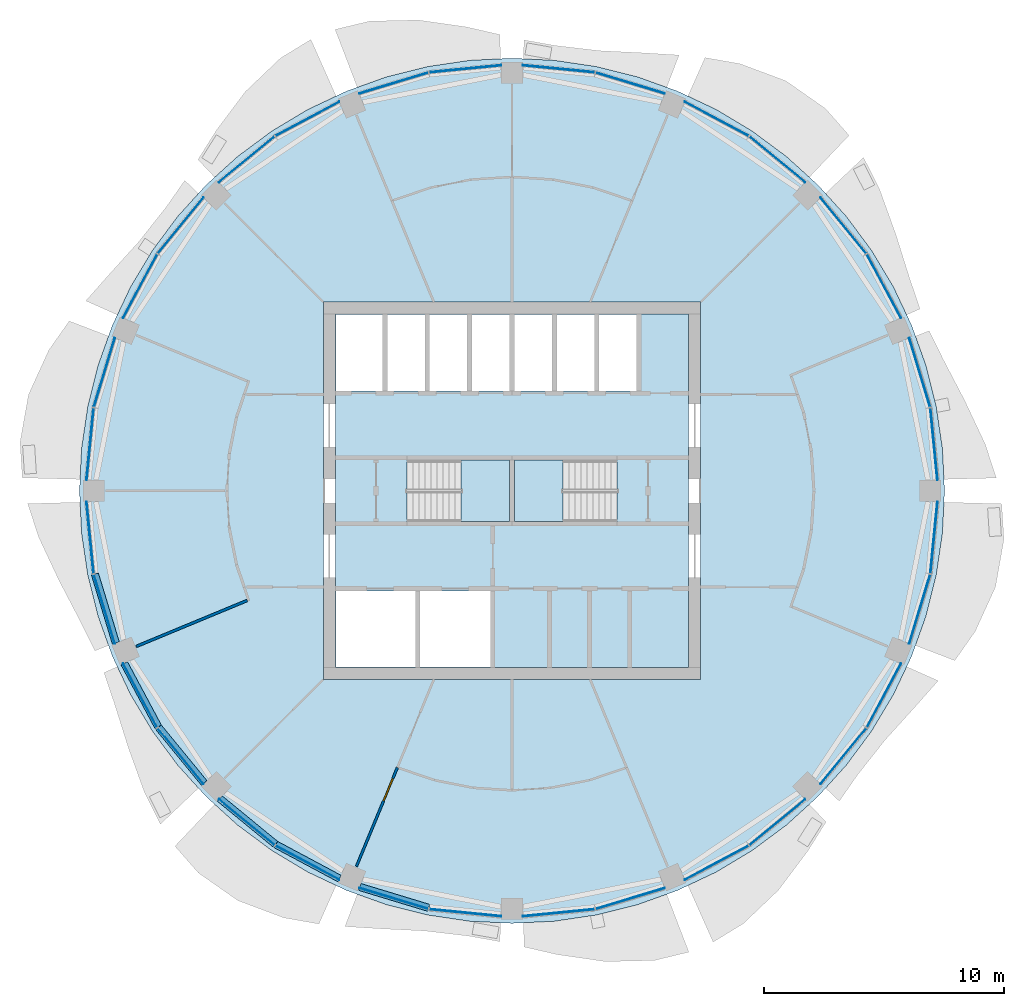
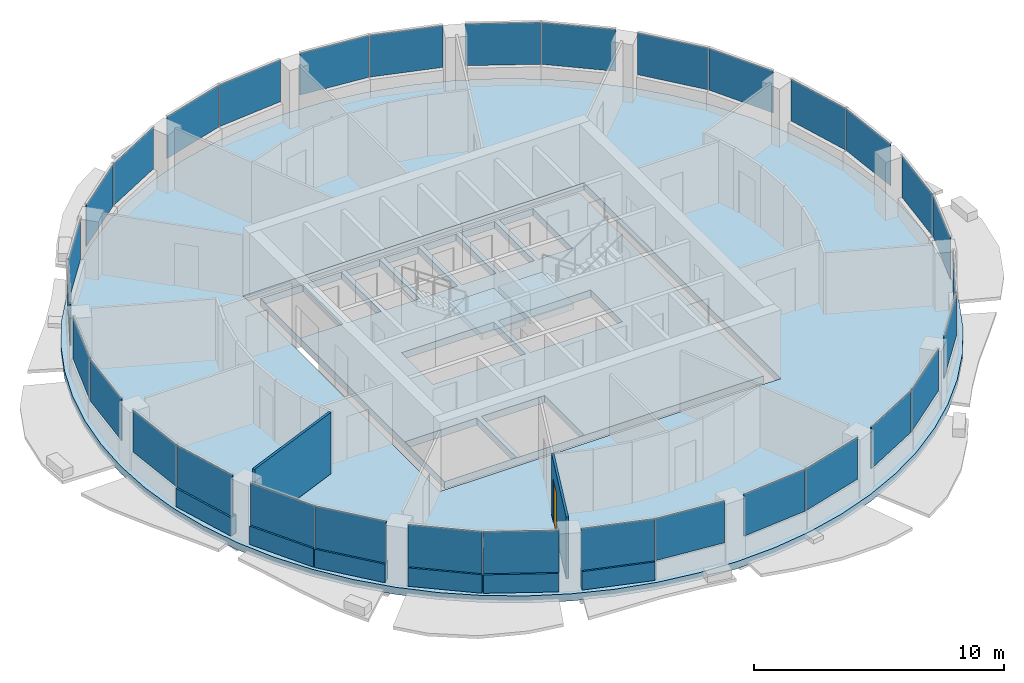
# One storey, part 7 of 15: 32 plates, 8 walls, 4 slabs, 1 door, 1 opening, 18 elements without a shape of their own.
"""IFC4 building model written with IfcOpenShell, lengths in metres."""

from ifc_helpers import new_model, si_unit, direction, frame, frame_2d, origin, origin_2d, place, context, subcontext, project, spatial, polyline, rectangle, outline, extrude, material, layer, layer_set, type_object, element, fill, aggregate, save


model = new_model("IFC4")

# Units and contexts
model_context = context("Model", 3, precision=1e-05, world=origin(), true_north=direction((0.0, 1.0)))
body_context = subcontext(model_context, "Body", "Model", "MODEL_VIEW")
ifc_project = project(units=[si_unit("LENGTHUNIT", "METRE"), si_unit("AREAUNIT", "SQUARE_METRE"), si_unit("VOLUMEUNIT", "CUBIC_METRE"), si_unit("PLANEANGLEUNIT", "RADIAN"), si_unit("MASSUNIT", "GRAM", prefix="KILO")], contexts=[model_context])

# Site, building, storey
site_placement = place(None, origin())
site = spatial("IfcSite", under=ifc_project, at=site_placement, CompositionType="ELEMENT")
building_placement = place(site_placement, origin())
building = spatial("IfcBuilding", under=site, at=building_placement, Name="Polderwave Tower", CompositionType="ELEMENT")
storey_placement = place(building_placement, frame((0.0, 0.0, 191.0)))
storey = spatial("IfcBuildingStorey", under=building, at=storey_placement, Name="L51", CompositionType="ELEMENT", Elevation=191.0)

# Slab
ifc_material_1 = material(Name="Concrete C40/50", Category="concrete")
ifc_layer_1 = layer(ifc_material_1, 0.35009765625)
ifc_layer_set_1 = layer_set([ifc_layer_1], Name="Core floor slab 350")
slab_type_1 = type_object("IfcSlabType", Name="Core floor slab 350", PredefinedType="FLOOR", material=ifc_layer_set_1)
slab_1_placement = place(storey_placement, frame((0.0, 0.0, -0.35009765625)))
element("IfcSlab", 1, at=slab_1_placement, inside=storey, type_object=slab_type_1, Name="L51 core floor", PredefinedType="FLOOR", context=body_context, shape_type="SweptSolid", body=[
    extrude(outline(polyline([(-7.3740234375, -7.3740234375), (7.3740234375, -7.3740234375), (7.3740234375, 7.3740234375), (-7.3740234375, 7.3740234375), (-7.3740234375, -7.3740234375)]), holes=[polyline([(-7.35400390625, -7.35400390625), (-4.037109375, -7.35400390625), (-4.037109375, -4.174072265625), (-7.35400390625, -4.174072265625), (-7.35400390625, -7.35400390625)]), polyline([(-3.8369140625, -7.35400390625), (-0.89990234375, -7.35400390625), (-0.89990234375, -4.174072265625), (-3.8369140625, -4.174072265625), (-3.8369140625, -7.35400390625)]), polyline([(-7.35400390625, 4.174072265625), (-5.405517578125, 4.174072265625), (-5.405517578125, 7.35400390625), (-7.35400390625, 7.35400390625), (-7.35400390625, 4.174072265625)]), polyline([(-5.20556640625, 4.174072265625), (-3.636962890625, 4.174072265625), (-3.636962890625, 7.35400390625), (-5.20556640625, 7.35400390625), (-5.20556640625, 4.174072265625)]), polyline([(-3.43701171875, 4.174072265625), (-1.868408203125, 4.174072265625), (-1.868408203125, 7.35400390625), (-3.43701171875, 7.35400390625), (-3.43701171875, 4.174072265625)]), polyline([(-1.66845703125, 4.174072265625), (-0.10009765625, 4.174072265625), (-0.10009765625, 7.35400390625), (-1.66845703125, 7.35400390625), (-1.66845703125, 4.174072265625)]), polyline([(0.10009765625, 4.174072265625), (1.66845703125, 4.174072265625), (1.66845703125, 7.35400390625), (0.10009765625, 7.35400390625), (0.10009765625, 4.174072265625)]), polyline([(1.868408203125, 4.174072265625), (3.43701171875, 4.174072265625), (3.43701171875, 7.35400390625), (1.868408203125, 7.35400390625), (1.868408203125, 4.174072265625)]), polyline([(3.636962890625, 4.174072265625), (5.20556640625, 4.174072265625), (5.20556640625, 7.35400390625), (3.636962890625, 7.35400390625), (3.636962890625, 4.174072265625)]), polyline([(-4.37353515625, -1.2744140625), (-0.1005859375, -1.2744140625), (-0.1005859375, 1.2744140625), (-4.37353515625, 1.2744140625), (-4.37353515625, -1.2744140625)]), polyline([(0.1005859375, -1.2744140625), (4.37353515625, -1.2744140625), (4.37353515625, 1.2744140625), (0.1005859375, 1.2744140625), (0.1005859375, -1.2744140625)])]), origin(), (0.0, 0.0, 1.0), 0.35009765625),
])

# Curtain wall, plates
ifc_material_2 = material(Name="Aluminium 6063-T6 and glass", Category="aluminium")
curtain_wall_type = type_object("IfcCurtainWallType", Name="Office ribbon glazing wall", PredefinedType="NOTDEFINED", material=ifc_material_2)
curtain_wall_1_placement = place(storey_placement, origin())
curtain_wall_1 = element("IfcCurtainWall", 2, at=curtain_wall_1_placement, inside=storey, type_object=curtain_wall_type, Name="CW3 L51 00", PredefinedType="NOTDEFINED")
ifc_material_3 = material(Name="Glass, low-e laminated double glazing", Category="glass")
ifc_layer_2 = layer(ifc_material_3, 0.031982421875)
ifc_layer_set_2 = layer_set([ifc_layer_2], Name="Office ribbon glazing glass panel 32 mm")
plate_type = type_object("IfcPlateType", Name="Office ribbon glazing glass panel 32 mm", PredefinedType="CURTAIN_PANEL", material=ifc_layer_set_2)
plate_1_placement = place(storey_placement, frame((17.6083984375, 1.94775390625, 0.89990234375), z_axis=(0.0, 0.0, 1.0), x_axis=(-0.098102249297, 0.995176340496, 0.0)))
plate_1 = element("IfcPlate", 3, at=plate_1_placement, type_object=plate_type, Name="CW3 panel 1", PredefinedType="CURTAIN_PANEL", context=body_context, shape_type="SweptSolid", body=[
    extrude(rectangle(XDim=3.01025390625, YDim=0.031982421875, at=origin_2d()), origin(), (0.0, 0.0, 1.0), 2.0400390625),
])
plate_2_placement = place(storey_placement, frame((17.012939453125, 4.939208984375, 0.89990234375), z_axis=(0.0, 0.0, 1.0), x_axis=(-0.290428309117, 0.956896753712, 0.0)))
plate_2 = element("IfcPlate", 4, at=plate_2_placement, type_object=plate_type, Name="CW3 panel 2", PredefinedType="CURTAIN_PANEL", context=body_context, shape_type="SweptSolid", body=[
    extrude(rectangle(XDim=3.009521484375, YDim=0.031982421875, at=origin_2d()), origin(), (0.0, 0.0, 1.0), 2.0400390625),
])
aggregate(curtain_wall_1, [plate_1, plate_2])

curtain_wall_2_placement = place(storey_placement, origin())
curtain_wall_2 = element("IfcCurtainWall", 5, at=curtain_wall_2_placement, inside=storey, type_object=curtain_wall_type, Name="CW3 L51 01", PredefinedType="NOTDEFINED")
plate_3_placement = place(storey_placement, frame((15.5224609375, 8.537841796875, 0.89990234375), z_axis=(0.0, 0.0, 1.0), x_axis=(-0.471544497535, 0.881842268688, 0.0)))
plate_3 = element("IfcPlate", 6, at=plate_3_placement, type_object=plate_type, Name="CW3 panel 1", PredefinedType="CURTAIN_PANEL", context=body_context, shape_type="SweptSolid", body=[
    extrude(rectangle(XDim=3.00927734375, YDim=0.031982421875, at=origin_2d()), origin(), (0.0, 0.0, 1.0), 2.0400390625),
])
plate_4_placement = place(storey_placement, frame((13.827880859375, 11.073486328125, 0.89990234375), z_axis=(0.0, 0.0, 1.0), x_axis=(-0.634402728221, 0.773002702729, 0.0)))
plate_4 = element("IfcPlate", 7, at=plate_4_placement, type_object=plate_type, Name="CW3 panel 2", PredefinedType="CURTAIN_PANEL", context=body_context, shape_type="SweptSolid", body=[
    extrude(rectangle(XDim=3.010009765625, YDim=0.031982421875, at=origin_2d()), origin(), (0.0, 0.0, 1.0), 2.0400390625),
])
aggregate(curtain_wall_2, [plate_3, plate_4])

curtain_wall_3_placement = place(storey_placement, origin())
curtain_wall_3 = element("IfcCurtainWall", 8, at=curtain_wall_3_placement, inside=storey, type_object=curtain_wall_type, Name="CW3 L51 02", PredefinedType="NOTDEFINED")
plate_5_placement = place(storey_placement, frame((11.073486328125, 13.827880859375, 0.89990234375), z_axis=(0.0, 0.0, 1.0), x_axis=(-0.773002702729, 0.634402728221, 0.0)))
plate_5 = element("IfcPlate", 9, at=plate_5_placement, type_object=plate_type, Name="CW3 panel 1", PredefinedType="CURTAIN_PANEL", context=body_context, shape_type="SweptSolid", body=[
    extrude(rectangle(XDim=3.010009765625, YDim=0.031982421875, at=origin_2d()), origin(), (0.0, 0.0, 1.0), 2.0400390625),
])
plate_6_placement = place(storey_placement, frame((8.537841796875, 15.5224609375, 0.89990234375), z_axis=(0.0, 0.0, 1.0), x_axis=(-0.881842268688, 0.471544497535, 0.0)))
plate_6 = element("IfcPlate", 10, at=plate_6_placement, type_object=plate_type, Name="CW3 panel 2", PredefinedType="CURTAIN_PANEL", context=body_context, shape_type="SweptSolid", body=[
    extrude(rectangle(XDim=3.00927734375, YDim=0.031982421875, at=origin_2d()), origin(), (0.0, 0.0, 1.0), 2.0400390625),
])
aggregate(curtain_wall_3, [plate_5, plate_6])

curtain_wall_4_placement = place(storey_placement, origin())
curtain_wall_4 = element("IfcCurtainWall", 11, at=curtain_wall_4_placement, inside=storey, type_object=curtain_wall_type, Name="CW3 L51 03", PredefinedType="NOTDEFINED")
plate_7_placement = place(storey_placement, frame((4.939208984375, 17.012939453125, 0.89990234375), z_axis=(0.0, 0.0, 1.0), x_axis=(-0.956896753712, 0.290428309117, 0.0)))
plate_7 = element("IfcPlate", 12, at=plate_7_placement, type_object=plate_type, Name="CW3 panel 1", PredefinedType="CURTAIN_PANEL", context=body_context, shape_type="SweptSolid", body=[
    extrude(rectangle(XDim=3.009521484375, YDim=0.031982421875, at=origin_2d()), origin(), (0.0, 0.0, 1.0), 2.0400390625),
])
plate_8_placement = place(storey_placement, frame((1.94775390625, 17.6083984375, 0.89990234375), z_axis=(0.0, 0.0, 1.0), x_axis=(-0.995176340496, 0.098102249297, 0.0)))
plate_8 = element("IfcPlate", 13, at=plate_8_placement, type_object=plate_type, Name="CW3 panel 2", PredefinedType="CURTAIN_PANEL", context=body_context, shape_type="SweptSolid", body=[
    extrude(rectangle(XDim=3.01025390625, YDim=0.031982421875, at=origin_2d()), origin(), (0.0, 0.0, 1.0), 2.0400390625),
])
aggregate(curtain_wall_4, [plate_7, plate_8])

curtain_wall_5_placement = place(storey_placement, origin())
curtain_wall_5 = element("IfcCurtainWall", 14, at=curtain_wall_5_placement, inside=storey, type_object=curtain_wall_type, Name="CW3 L51 04", PredefinedType="NOTDEFINED")
plate_9_placement = place(storey_placement, frame((-1.94775390625, 17.6083984375, 0.89990234375), z_axis=(0.0, 0.0, 1.0), x_axis=(-0.995176340496, -0.098102249297, 0.0)))
plate_9 = element("IfcPlate", 15, at=plate_9_placement, type_object=plate_type, Name="CW3 panel 1", PredefinedType="CURTAIN_PANEL", context=body_context, shape_type="SweptSolid", body=[
    extrude(rectangle(XDim=3.01025390625, YDim=0.031982421875, at=origin_2d()), origin(), (0.0, 0.0, 1.0), 2.0400390625),
])
plate_10_placement = place(storey_placement, frame((-4.939208984375, 17.012939453125, 0.89990234375), z_axis=(0.0, 0.0, 1.0), x_axis=(-0.956896753712, -0.290428309117, 0.0)))
plate_10 = element("IfcPlate", 16, at=plate_10_placement, type_object=plate_type, Name="CW3 panel 2", PredefinedType="CURTAIN_PANEL", context=body_context, shape_type="SweptSolid", body=[
    extrude(rectangle(XDim=3.009521484375, YDim=0.031982421875, at=origin_2d()), origin(), (0.0, 0.0, 1.0), 2.0400390625),
])
aggregate(curtain_wall_5, [plate_9, plate_10])

curtain_wall_6_placement = place(storey_placement, origin())
curtain_wall_6 = element("IfcCurtainWall", 17, at=curtain_wall_6_placement, inside=storey, type_object=curtain_wall_type, Name="CW3 L51 05", PredefinedType="NOTDEFINED")
plate_11_placement = place(storey_placement, frame((-8.537841796875, 15.5224609375, 0.89990234375), z_axis=(0.0, 0.0, 1.0), x_axis=(-0.881842268688, -0.471544497535, 0.0)))
plate_11 = element("IfcPlate", 18, at=plate_11_placement, type_object=plate_type, Name="CW3 panel 1", PredefinedType="CURTAIN_PANEL", context=body_context, shape_type="SweptSolid", body=[
    extrude(rectangle(XDim=3.00927734375, YDim=0.031982421875, at=origin_2d()), origin(), (0.0, 0.0, 1.0), 2.0400390625),
])
plate_12_placement = place(storey_placement, frame((-11.073486328125, 13.827880859375, 0.89990234375), z_axis=(0.0, 0.0, 1.0), x_axis=(-0.773002702729, -0.634402728221, 0.0)))
plate_12 = element("IfcPlate", 19, at=plate_12_placement, type_object=plate_type, Name="CW3 panel 2", PredefinedType="CURTAIN_PANEL", context=body_context, shape_type="SweptSolid", body=[
    extrude(rectangle(XDim=3.010009765625, YDim=0.031982421875, at=origin_2d()), origin(), (0.0, 0.0, 1.0), 2.0400390625),
])
aggregate(curtain_wall_6, [plate_11, plate_12])

curtain_wall_7_placement = place(storey_placement, origin())
curtain_wall_7 = element("IfcCurtainWall", 20, at=curtain_wall_7_placement, inside=storey, type_object=curtain_wall_type, Name="CW3 L51 06", PredefinedType="NOTDEFINED")
plate_13_placement = place(storey_placement, frame((-13.827880859375, 11.073486328125, 0.89990234375), z_axis=(0.0, 0.0, 1.0), x_axis=(-0.634402728221, -0.773002702729, 0.0)))
plate_13 = element("IfcPlate", 21, at=plate_13_placement, type_object=plate_type, Name="CW3 panel 1", PredefinedType="CURTAIN_PANEL", context=body_context, shape_type="SweptSolid", body=[
    extrude(rectangle(XDim=3.010009765625, YDim=0.031982421875, at=origin_2d()), origin(), (0.0, 0.0, 1.0), 2.0400390625),
])
plate_14_placement = place(storey_placement, frame((-15.5224609375, 8.537841796875, 0.89990234375), z_axis=(0.0, 0.0, 1.0), x_axis=(-0.471544497535, -0.881842268688, 0.0)))
plate_14 = element("IfcPlate", 22, at=plate_14_placement, type_object=plate_type, Name="CW3 panel 2", PredefinedType="CURTAIN_PANEL", context=body_context, shape_type="SweptSolid", body=[
    extrude(rectangle(XDim=3.00927734375, YDim=0.031982421875, at=origin_2d()), origin(), (0.0, 0.0, 1.0), 2.0400390625),
])
aggregate(curtain_wall_7, [plate_13, plate_14])

curtain_wall_8_placement = place(storey_placement, origin())
curtain_wall_8 = element("IfcCurtainWall", 23, at=curtain_wall_8_placement, inside=storey, type_object=curtain_wall_type, Name="CW3 L51 07", PredefinedType="NOTDEFINED")
plate_15_placement = place(storey_placement, frame((-17.012939453125, 4.939208984375, 0.89990234375), z_axis=(0.0, 0.0, 1.0), x_axis=(-0.290428309117, -0.956896753712, 0.0)))
plate_15 = element("IfcPlate", 24, at=plate_15_placement, type_object=plate_type, Name="CW3 panel 1", PredefinedType="CURTAIN_PANEL", context=body_context, shape_type="SweptSolid", body=[
    extrude(rectangle(XDim=3.009521484375, YDim=0.031982421875, at=origin_2d()), origin(), (0.0, 0.0, 1.0), 2.0400390625),
])
plate_16_placement = place(storey_placement, frame((-17.6083984375, 1.94775390625, 0.89990234375), z_axis=(0.0, 0.0, 1.0), x_axis=(-0.098102249297, -0.995176340496, 0.0)))
plate_16 = element("IfcPlate", 25, at=plate_16_placement, type_object=plate_type, Name="CW3 panel 2", PredefinedType="CURTAIN_PANEL", context=body_context, shape_type="SweptSolid", body=[
    extrude(rectangle(XDim=3.01025390625, YDim=0.031982421875, at=origin_2d()), origin(), (0.0, 0.0, 1.0), 2.0400390625),
])
aggregate(curtain_wall_8, [plate_15, plate_16])

curtain_wall_9_placement = place(storey_placement, origin())
curtain_wall_9 = element("IfcCurtainWall", 26, at=curtain_wall_9_placement, inside=storey, type_object=curtain_wall_type, Name="CW3 L51 08", PredefinedType="NOTDEFINED")
plate_17_placement = place(storey_placement, frame((-17.6083984375, -1.94775390625, 0.89990234375), z_axis=(0.0, 0.0, 1.0), x_axis=(0.098102249297, -0.995176340496, 0.0)))
plate_17 = element("IfcPlate", 27, at=plate_17_placement, type_object=plate_type, Name="CW3 panel 1", PredefinedType="CURTAIN_PANEL", context=body_context, shape_type="SweptSolid", body=[
    extrude(rectangle(XDim=3.01025390625, YDim=0.031982421875, at=origin_2d()), origin(), (0.0, 0.0, 1.0), 2.0400390625),
])
plate_18_placement = place(storey_placement, frame((-17.012939453125, -4.939208984375, 0.89990234375), z_axis=(0.0, 0.0, 1.0), x_axis=(0.290428309117, -0.956896753712, 0.0)))
plate_18 = element("IfcPlate", 28, at=plate_18_placement, type_object=plate_type, Name="CW3 panel 2", PredefinedType="CURTAIN_PANEL", context=body_context, shape_type="SweptSolid", body=[
    extrude(rectangle(XDim=3.009521484375, YDim=0.031982421875, at=origin_2d()), origin(), (0.0, 0.0, 1.0), 2.0400390625),
])
aggregate(curtain_wall_9, [plate_17, plate_18])

curtain_wall_10_placement = place(storey_placement, origin())
curtain_wall_10 = element("IfcCurtainWall", 29, at=curtain_wall_10_placement, inside=storey, type_object=curtain_wall_type, Name="CW3 L51 09", PredefinedType="NOTDEFINED")
plate_19_placement = place(storey_placement, frame((-15.5224609375, -8.537841796875, 0.89990234375), z_axis=(0.0, 0.0, 1.0), x_axis=(0.471544497535, -0.881842268688, 0.0)))
plate_19 = element("IfcPlate", 30, at=plate_19_placement, type_object=plate_type, Name="CW3 panel 1", PredefinedType="CURTAIN_PANEL", context=body_context, shape_type="SweptSolid", body=[
    extrude(rectangle(XDim=3.00927734375, YDim=0.031982421875, at=origin_2d()), origin(), (0.0, 0.0, 1.0), 2.0400390625),
])
plate_20_placement = place(storey_placement, frame((-13.827880859375, -11.073486328125, 0.89990234375), z_axis=(0.0, 0.0, 1.0), x_axis=(0.634402728221, -0.773002702729, 0.0)))
plate_20 = element("IfcPlate", 31, at=plate_20_placement, type_object=plate_type, Name="CW3 panel 2", PredefinedType="CURTAIN_PANEL", context=body_context, shape_type="SweptSolid", body=[
    extrude(rectangle(XDim=3.010009765625, YDim=0.031982421875, at=origin_2d()), origin(), (0.0, 0.0, 1.0), 2.0400390625),
])
aggregate(curtain_wall_10, [plate_19, plate_20])

curtain_wall_11_placement = place(storey_placement, origin())
curtain_wall_11 = element("IfcCurtainWall", 32, at=curtain_wall_11_placement, inside=storey, type_object=curtain_wall_type, Name="CW3 L51 10", PredefinedType="NOTDEFINED")
plate_21_placement = place(storey_placement, frame((-11.073486328125, -13.827880859375, 0.89990234375), z_axis=(0.0, 0.0, 1.0), x_axis=(0.773002702729, -0.634402728221, 0.0)))
plate_21 = element("IfcPlate", 33, at=plate_21_placement, type_object=plate_type, Name="CW3 panel 1", PredefinedType="CURTAIN_PANEL", context=body_context, shape_type="SweptSolid", body=[
    extrude(rectangle(XDim=3.010009765625, YDim=0.031982421875, at=origin_2d()), origin(), (0.0, 0.0, 1.0), 2.0400390625),
])
plate_22_placement = place(storey_placement, frame((-8.537841796875, -15.5224609375, 0.89990234375), z_axis=(0.0, 0.0, 1.0), x_axis=(0.881842268688, -0.471544497535, 0.0)))
plate_22 = element("IfcPlate", 34, at=plate_22_placement, type_object=plate_type, Name="CW3 panel 2", PredefinedType="CURTAIN_PANEL", context=body_context, shape_type="SweptSolid", body=[
    extrude(rectangle(XDim=3.00927734375, YDim=0.031982421875, at=origin_2d()), origin(), (0.0, 0.0, 1.0), 2.0400390625),
])
aggregate(curtain_wall_11, [plate_21, plate_22])

curtain_wall_12_placement = place(storey_placement, origin())
curtain_wall_12 = element("IfcCurtainWall", 35, at=curtain_wall_12_placement, inside=storey, type_object=curtain_wall_type, Name="CW3 L51 11", PredefinedType="NOTDEFINED")
plate_23_placement = place(storey_placement, frame((-4.939208984375, -17.012939453125, 0.89990234375), z_axis=(0.0, 0.0, 1.0), x_axis=(0.956896753712, -0.290428309117, 0.0)))
plate_23 = element("IfcPlate", 36, at=plate_23_placement, type_object=plate_type, Name="CW3 panel 1", PredefinedType="CURTAIN_PANEL", context=body_context, shape_type="SweptSolid", body=[
    extrude(rectangle(XDim=3.009521484375, YDim=0.031982421875, at=origin_2d()), origin(), (0.0, 0.0, 1.0), 2.0400390625),
])
plate_24_placement = place(storey_placement, frame((-1.94775390625, -17.6083984375, 0.89990234375), z_axis=(0.0, 0.0, 1.0), x_axis=(0.995176340496, -0.098102249297, 0.0)))
plate_24 = element("IfcPlate", 37, at=plate_24_placement, type_object=plate_type, Name="CW3 panel 2", PredefinedType="CURTAIN_PANEL", context=body_context, shape_type="SweptSolid", body=[
    extrude(rectangle(XDim=3.01025390625, YDim=0.031982421875, at=origin_2d()), origin(), (0.0, 0.0, 1.0), 2.0400390625),
])
aggregate(curtain_wall_12, [plate_23, plate_24])

curtain_wall_13_placement = place(storey_placement, origin())
curtain_wall_13 = element("IfcCurtainWall", 38, at=curtain_wall_13_placement, inside=storey, type_object=curtain_wall_type, Name="CW3 L51 12", PredefinedType="NOTDEFINED")
plate_25_placement = place(storey_placement, frame((1.94775390625, -17.6083984375, 0.89990234375), z_axis=(0.0, 0.0, 1.0), x_axis=(0.995176340496, 0.098102249297, 0.0)))
plate_25 = element("IfcPlate", 39, at=plate_25_placement, type_object=plate_type, Name="CW3 panel 1", PredefinedType="CURTAIN_PANEL", context=body_context, shape_type="SweptSolid", body=[
    extrude(rectangle(XDim=3.01025390625, YDim=0.031982421875, at=origin_2d()), origin(), (0.0, 0.0, 1.0), 2.0400390625),
])
plate_26_placement = place(storey_placement, frame((4.939208984375, -17.012939453125, 0.89990234375), z_axis=(0.0, 0.0, 1.0), x_axis=(0.956896753712, 0.290428309117, 0.0)))
plate_26 = element("IfcPlate", 40, at=plate_26_placement, type_object=plate_type, Name="CW3 panel 2", PredefinedType="CURTAIN_PANEL", context=body_context, shape_type="SweptSolid", body=[
    extrude(rectangle(XDim=3.009521484375, YDim=0.031982421875, at=origin_2d()), origin(), (0.0, 0.0, 1.0), 2.0400390625),
])
aggregate(curtain_wall_13, [plate_25, plate_26])

curtain_wall_14_placement = place(storey_placement, origin())
curtain_wall_14 = element("IfcCurtainWall", 41, at=curtain_wall_14_placement, inside=storey, type_object=curtain_wall_type, Name="CW3 L51 13", PredefinedType="NOTDEFINED")
plate_27_placement = place(storey_placement, frame((8.537841796875, -15.5224609375, 0.89990234375), z_axis=(0.0, 0.0, 1.0), x_axis=(0.881842268688, 0.471544497535, 0.0)))
plate_27 = element("IfcPlate", 42, at=plate_27_placement, type_object=plate_type, Name="CW3 panel 1", PredefinedType="CURTAIN_PANEL", context=body_context, shape_type="SweptSolid", body=[
    extrude(rectangle(XDim=3.00927734375, YDim=0.031982421875, at=origin_2d()), origin(), (0.0, 0.0, 1.0), 2.0400390625),
])
plate_28_placement = place(storey_placement, frame((11.073486328125, -13.827880859375, 0.89990234375), z_axis=(0.0, 0.0, 1.0), x_axis=(0.773002702729, 0.634402728221, 0.0)))
plate_28 = element("IfcPlate", 43, at=plate_28_placement, type_object=plate_type, Name="CW3 panel 2", PredefinedType="CURTAIN_PANEL", context=body_context, shape_type="SweptSolid", body=[
    extrude(rectangle(XDim=3.010009765625, YDim=0.031982421875, at=origin_2d()), origin(), (0.0, 0.0, 1.0), 2.0400390625),
])
aggregate(curtain_wall_14, [plate_27, plate_28])

curtain_wall_15_placement = place(storey_placement, origin())
curtain_wall_15 = element("IfcCurtainWall", 44, at=curtain_wall_15_placement, inside=storey, type_object=curtain_wall_type, Name="CW3 L51 14", PredefinedType="NOTDEFINED")
plate_29_placement = place(storey_placement, frame((13.827880859375, -11.073486328125, 0.89990234375), z_axis=(0.0, 0.0, 1.0), x_axis=(0.634402728221, 0.773002702729, 0.0)))
plate_29 = element("IfcPlate", 45, at=plate_29_placement, type_object=plate_type, Name="CW3 panel 1", PredefinedType="CURTAIN_PANEL", context=body_context, shape_type="SweptSolid", body=[
    extrude(rectangle(XDim=3.010009765625, YDim=0.031982421875, at=origin_2d()), origin(), (0.0, 0.0, 1.0), 2.0400390625),
])
plate_30_placement = place(storey_placement, frame((15.5224609375, -8.537841796875, 0.89990234375), z_axis=(0.0, 0.0, 1.0), x_axis=(0.471544497535, 0.881842268688, 0.0)))
plate_30 = element("IfcPlate", 46, at=plate_30_placement, type_object=plate_type, Name="CW3 panel 2", PredefinedType="CURTAIN_PANEL", context=body_context, shape_type="SweptSolid", body=[
    extrude(rectangle(XDim=3.00927734375, YDim=0.031982421875, at=origin_2d()), origin(), (0.0, 0.0, 1.0), 2.0400390625),
])
aggregate(curtain_wall_15, [plate_29, plate_30])

curtain_wall_16_placement = place(storey_placement, origin())
curtain_wall_16 = element("IfcCurtainWall", 47, at=curtain_wall_16_placement, inside=storey, type_object=curtain_wall_type, Name="CW3 L51 15", PredefinedType="NOTDEFINED")
plate_31_placement = place(storey_placement, frame((17.012939453125, -4.939208984375, 0.89990234375), z_axis=(0.0, 0.0, 1.0), x_axis=(0.290428309117, 0.956896753712, 0.0)))
plate_31 = element("IfcPlate", 48, at=plate_31_placement, type_object=plate_type, Name="CW3 panel 1", PredefinedType="CURTAIN_PANEL", context=body_context, shape_type="SweptSolid", body=[
    extrude(rectangle(XDim=3.009521484375, YDim=0.031982421875, at=origin_2d()), origin(), (0.0, 0.0, 1.0), 2.0400390625),
])
plate_32_placement = place(storey_placement, frame((17.6083984375, -1.94775390625, 0.89990234375), z_axis=(0.0, 0.0, 1.0), x_axis=(0.098102249297, 0.995176340496, 0.0)))
plate_32 = element("IfcPlate", 49, at=plate_32_placement, type_object=plate_type, Name="CW3 panel 2", PredefinedType="CURTAIN_PANEL", context=body_context, shape_type="SweptSolid", body=[
    extrude(rectangle(XDim=3.01025390625, YDim=0.031982421875, at=origin_2d()), origin(), (0.0, 0.0, 1.0), 2.0400390625),
])
aggregate(curtain_wall_16, [plate_31, plate_32])

# Slab
ifc_layer_3 = layer(ifc_material_1, 0.35009765625)
ifc_layer_set_3 = layer_set([ifc_layer_3], Name="PT FLOOR SLAB 350 C40/50")
slab_type_2 = type_object("IfcSlabType", Name="PT FLOOR SLAB 350 C40/50", PredefinedType="FLOOR", material=ifc_layer_set_3)
slab_2_placement = place(storey_placement, frame((0.0, 0.0, -0.35009765625)))
element("IfcSlab", 50, at=slab_2_placement, inside=storey, type_object=slab_type_2, Name="ST-SLAB-L51", PredefinedType="FLOOR", context=body_context, shape_type="SweptSolid", body=[
    extrude(outline(polyline([(18.050048828125, 0.0), (17.963134765625, 1.769287109375), (17.703125, 3.521484375), (17.272705078125, 5.239501953125), (16.676025390625, 6.907470703125), (15.918701171875, 8.5087890625), (15.008056640625, 10.028076171875), (13.952880859375, 11.45068359375), (12.76318359375, 12.76318359375), (11.45068359375, 13.952880859375), (10.028076171875, 15.008056640625), (8.5087890625, 15.918701171875), (6.907470703125, 16.676025390625), (5.239501953125, 17.272705078125), (3.521484375, 17.703125), (1.769287109375, 17.963134765625), (0.0, 18.050048828125), (-1.769287109375, 17.963134765625), (-3.521484375, 17.703125), (-5.239501953125, 17.272705078125), (-6.907470703125, 16.676025390625), (-8.5087890625, 15.918701171875), (-10.028076171875, 15.008056640625), (-11.45068359375, 13.952880859375), (-12.76318359375, 12.76318359375), (-13.952880859375, 11.45068359375), (-15.008056640625, 10.028076171875), (-15.918701171875, 8.5087890625), (-16.676025390625, 6.907470703125), (-17.272705078125, 5.239501953125), (-17.703125, 3.521484375), (-17.963134765625, 1.769287109375), (-18.050048828125, 0.0), (-17.963134765625, -1.769287109375), (-17.703125, -3.521484375), (-17.272705078125, -5.239501953125), (-16.676025390625, -6.907470703125), (-15.918701171875, -8.5087890625), (-15.008056640625, -10.028076171875), (-13.952880859375, -11.45068359375), (-12.76318359375, -12.76318359375), (-11.45068359375, -13.952880859375), (-10.028076171875, -15.008056640625), (-8.5087890625, -15.918701171875), (-6.907470703125, -16.676025390625), (-5.239501953125, -17.272705078125), (-3.521484375, -17.703125), (-1.769287109375, -17.963134765625), (0.0, -18.050048828125), (1.769287109375, -17.963134765625), (3.521484375, -17.703125), (5.239501953125, -17.272705078125), (6.907470703125, -16.676025390625), (8.5087890625, -15.918701171875), (10.028076171875, -15.008056640625), (11.45068359375, -13.952880859375), (12.76318359375, -12.76318359375), (13.952880859375, -11.45068359375), (15.008056640625, -10.028076171875), (15.918701171875, -8.5087890625), (16.676025390625, -6.907470703125), (17.272705078125, -5.239501953125), (17.703125, -3.521484375), (17.963134765625, -1.769287109375), (18.050048828125, 0.0)]), holes=[polyline([(-7.8740234375, -7.8740234375), (7.8740234375, -7.8740234375), (7.8740234375, 7.8740234375), (-7.8740234375, 7.8740234375), (-7.8740234375, -7.8740234375)])]), origin(), (0.0, 0.0, 1.0), 0.35009765625),
])

# Stair, slab
stair_type = type_object("IfcStairType", Name="Exit stair 1200 x 20 risers", PredefinedType="HALF_TURN_STAIR", material=ifc_material_1)
stair_1_placement = place(storey_placement, origin())
stair_1 = element("IfcStair", 51, at=stair_1_placement, inside=storey, type_object=stair_type, Name="L51 Exit stair A", PredefinedType="HALF_TURN_STAIR")
ifc_layer_4 = layer(ifc_material_1, 0.300048828125)
ifc_layer_set_4 = layer_set([ifc_layer_4], Name="Stair landing 300")
slab_type_3 = type_object("IfcSlabType", Name="Stair landing 300", PredefinedType="LANDING", material=ifc_layer_set_4)
slab_3_placement = place(storey_placement, frame((0.0, 0.0, 1.375)))
slab_3 = element("IfcSlab", 52, at=slab_3_placement, type_object=slab_type_3, Name="ST-A landing 1", PredefinedType="LANDING", context=body_context, shape_type="SweptSolid", body=[
    extrude(outline(polyline([(-2.1240234375, -1.27490234375), (-0.10009765625, -1.27490234375), (-0.10009765625, 1.27490234375), (-2.1240234375, 1.27490234375), (-2.1240234375, -1.27490234375)])), origin(), (0.0, 0.0, 1.0), 0.300048828125),
])
aggregate(stair_1, [slab_3])

stair_2_placement = place(storey_placement, origin())
stair_2 = element("IfcStair", 53, at=stair_2_placement, inside=storey, type_object=stair_type, Name="L51 Exit stair B", PredefinedType="HALF_TURN_STAIR")
slab_4_placement = place(storey_placement, frame((0.0, 0.0, 1.375)))
slab_4 = element("IfcSlab", 54, at=slab_4_placement, type_object=slab_type_3, Name="ST-B landing 1", PredefinedType="LANDING", context=body_context, shape_type="SweptSolid", body=[
    extrude(outline(polyline([(2.1240234375, 1.27490234375), (0.10009765625, 1.27490234375), (0.10009765625, -1.27490234375), (2.1240234375, -1.27490234375), (2.1240234375, 1.27490234375)])), origin(), (0.0, 0.0, 1.0), 0.300048828125),
])
aggregate(stair_2, [slab_4])

# Walls
ifc_material_4 = material(Name="Concrete C50/60 (board-marked)", Category="concrete")
ifc_layer_5 = layer(ifc_material_4, 0.300048828125)
ifc_layer_set_5 = layer_set([ifc_layer_5], Name="Concrete spandrel upstand C50/60")
wall_type_1 = type_object("IfcWallType", Name="Concrete spandrel upstand C50/60", PredefinedType="SOLIDWALL", material=ifc_layer_set_5)
wall_1_placement = place(storey_placement, frame((-17.404541015625, -3.477294921875, 0.0), z_axis=(0.0, 0.0, 1.0), x_axis=(0.290490921835, -0.95687774785, 0.0)))
element("IfcWall", 55, at=wall_1_placement, inside=storey, type_object=wall_type_1, Name="Spandrel L51 9b", PredefinedType="SOLIDWALL", context=body_context, shape_type="SweptSolid", body=[
    extrude(rectangle(XDim=2.998779296875, YDim=0.300048828125, at=frame_2d((1.49951171875, 0.0))), origin(), (0.0, 0.0, 1.0), 0.89990234375),
])
wall_2_placement = place(storey_placement, frame((-16.178955078125, -7.2041015625, 0.0), z_axis=(0.0, 0.0, 1.0), x_axis=(0.471572734074, -0.881827169278, 0.0)))
element("IfcWall", 56, at=wall_2_placement, inside=storey, type_object=wall_type_1, Name="Spandrel L51 10a", PredefinedType="SOLIDWALL", context=body_context, shape_type="SweptSolid", body=[
    extrude(rectangle(XDim=2.998046875, YDim=0.300048828125, at=frame_2d((1.4990234375, 0.0))), origin(), (0.0, 0.0, 1.0), 0.89990234375),
])
for number, where, z_axis, x_axis, name in (
    (57, (-14.74853515625, -9.87255859375, 0.0), (0.0, 0.0, 1.0), (0.634208079217, -0.773162410012, 0.0), "Spandrel L51 10b"),
    (58, (-12.19140625, -12.846435546875, 0.0), (0.0, 0.0, 1.0), (0.773162410012, -0.634208079217, 0.0), "Spandrel L51 11a"),
):
    element("IfcWall", number, at=place(storey_placement, frame(where, z_axis=z_axis, x_axis=x_axis)), inside=storey, type_object=wall_type_1, Name=name, PredefinedType="SOLIDWALL", context=body_context, shape_type="SweptSolid", body=[
        extrude(rectangle(XDim=2.999267578125, YDim=0.300048828125, at=frame_2d((1.49951171875, 0.0))), origin(), (0.0, 0.0, 1.0), 0.89990234375),
    ])
wall_3_placement = place(storey_placement, frame((-9.847900390625, -14.76513671875, 0.0), z_axis=(0.0, 0.0, 1.0), x_axis=(0.881827169278, -0.471572734074, 0.0)))
element("IfcWall", 59, at=wall_3_placement, inside=storey, type_object=wall_type_1, Name="Spandrel L51 11b", PredefinedType="SOLIDWALL", context=body_context, shape_type="SweptSolid", body=[
    extrude(rectangle(XDim=2.998046875, YDim=0.300048828125, at=frame_2d((1.4990234375, 0.0))), origin(), (0.0, 0.0, 1.0), 0.89990234375),
])
wall_4_placement = place(storey_placement, frame((-6.3466796875, -16.533447265625, 0.0), z_axis=(0.0, 0.0, 1.0), x_axis=(0.95687774785, -0.290490921835, 0.0)))
element("IfcWall", 60, at=wall_4_placement, inside=storey, type_object=wall_type_1, Name="Spandrel L51 12a", PredefinedType="SOLIDWALL", context=body_context, shape_type="SweptSolid", body=[
    extrude(rectangle(XDim=2.998779296875, YDim=0.300048828125, at=frame_2d((1.49951171875, 0.0))), origin(), (0.0, 0.0, 1.0), 0.89990234375),
])

# Wall, opening, door
ifc_material_5 = material(Name="Plasterboard on steel studs", Category="steel")
ifc_layer_6 = layer(ifc_material_5, 0.10009765625)
ifc_layer_set_6 = layer_set([ifc_layer_6], Name="Partition 100 mm plasterboard on steel studs")
wall_type_2 = type_object("IfcWallType", Name="Partition 100 mm plasterboard on steel studs", PredefinedType="PARTITIONING", material=ifc_layer_set_6)
wall_5_placement = place(storey_placement, frame((-4.783447265625, -11.548583984375, 0.0), z_axis=(0.0, 0.0, 1.0), x_axis=(-0.382710359347, -0.92386837853, 0.0)))
wall_5 = element("IfcWall", 61, at=wall_5_placement, inside=storey, type_object=wall_type_2, Name="IN-L51-W042", PredefinedType="PARTITIONING", context=body_context, shape_type="SweptSolid", body=[
    extrude(rectangle(XDim=4.469970703125, YDim=0.10009765625, at=frame_2d((2.23486328125, 0.0))), origin(), (0.0, 0.0, 1.0), 3.0),
])
opening_placement = place(wall_5_placement, frame((0.5, 0.0, 0.0)))
opening = element("IfcOpeningElement", 62, at=opening_placement, cuts=wall_5, Name="Opening L51-D65", PredefinedType="OPENING", context=body_context, shape_type="SweptSolid", body=[
    extrude(rectangle(XDim=1.0, YDim=2.10009765625, at=frame_2d((0.5, 1.050048828125))), frame((0.0, 0.06005859375, 0.0), z_axis=(0.0, -1.0, 0.0), x_axis=(1.0, 0.0, 0.0)), (0.0, 0.0, 1.0), 0.1201171875),
])
ifc_material_6 = material(Name="Timber veneer door leaf", Category="wood")
door_type = type_object("IfcDoorType", Name="Single door 1000 x 2100", OperationType="NOTDEFINED", PredefinedType="DOOR", material=ifc_material_6)
door_placement = place(opening_placement, origin())
door = element("IfcDoor", 63, at=door_placement, inside=storey, type_object=door_type, Name="Door L51-D65", OperationType="SINGLE_SWING_LEFT", OverallHeight=2.10009765625, OverallWidth=1.0, PredefinedType="DOOR", context=body_context, shape_type="SweptSolid", body=[
    extrude(rectangle(XDim=1.0, YDim=2.10009765625, at=frame_2d((0.5, 1.050048828125))), frame((0.0, 0.02490234375, 0.0), z_axis=(0.0, -1.0, 0.0), x_axis=(1.0, 0.0, 0.0)), (0.0, 0.0, 1.0), 0.050048828125),
])
fill(opening, door)

# Wall
ifc_material_7 = material(Name="Acoustic double plasterboard on steel studs", Category="steel")
ifc_layer_7 = layer(ifc_material_7, 0.110107421875)
ifc_layer_set_7 = layer_set([ifc_layer_7], Name="Partition 110 mm acoustic double board")
wall_type_3 = type_object("IfcWallType", Name="Partition 110 mm acoustic double board", PredefinedType="PARTITIONING", material=ifc_layer_set_7)
wall_6_placement = place(storey_placement, frame((-11.048583984375, -4.576416015625, 0.0), z_axis=(0.0, 0.0, 1.0), x_axis=(-0.923874912391, -0.382694586132, 0.0)))
element("IfcWall", 64, at=wall_6_placement, inside=storey, type_object=wall_type_3, Name="IN-L51-W039", PredefinedType="PARTITIONING", context=body_context, shape_type="SweptSolid", body=[
    extrude(rectangle(XDim=5.01123046875, YDim=0.110107421875, at=frame_2d((2.505615234375, 0.0))), origin(), (0.0, 0.0, 1.0), 3.0),
])

save(model, "model.ifc")
